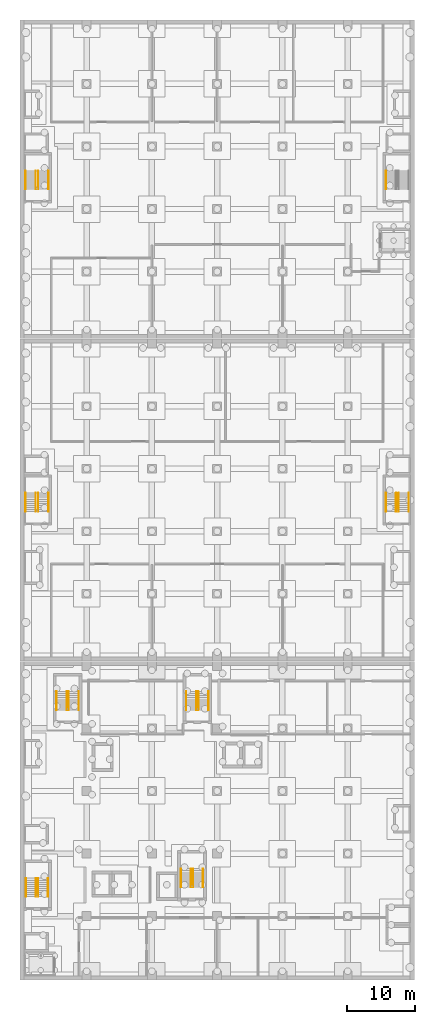
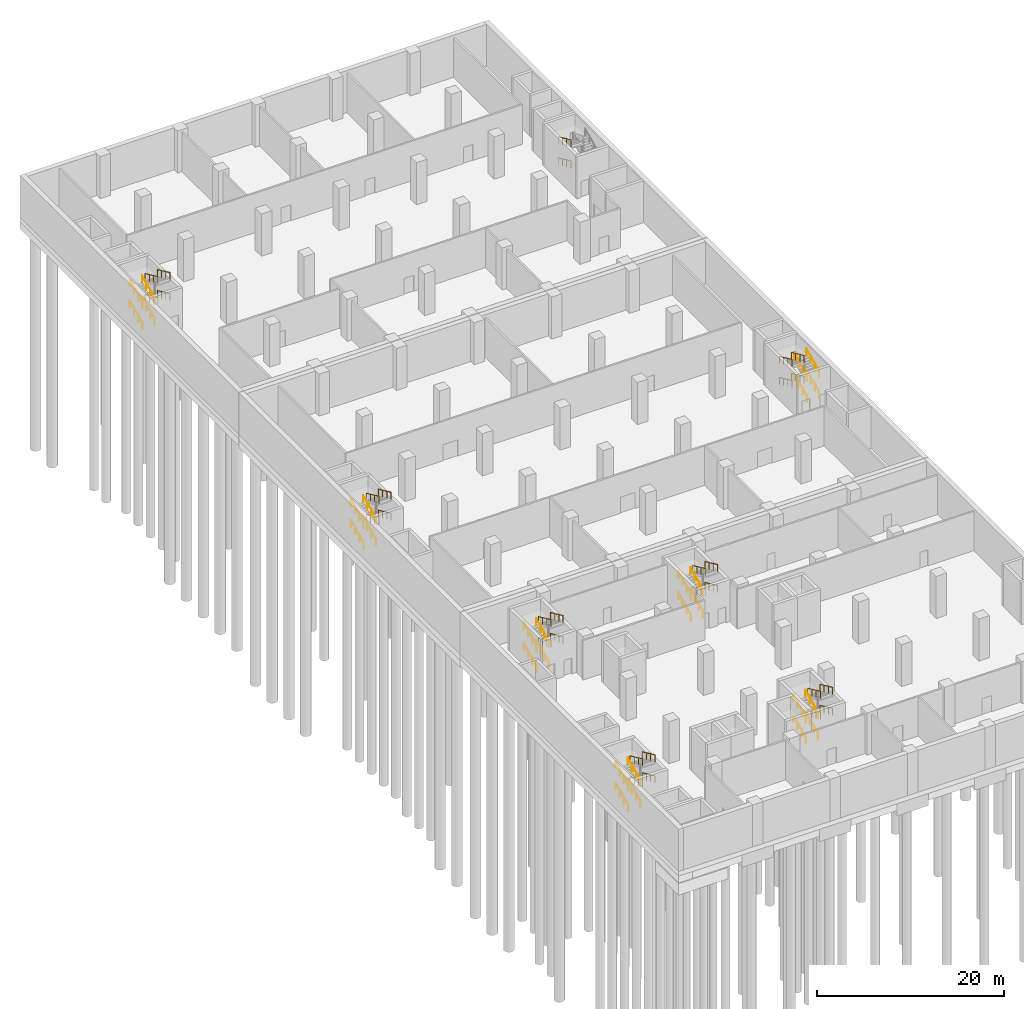
# One storey, part 18 of 33: 58 railings.
"""IFC4 building model written with IfcOpenShell, lengths in metres."""

from ifc_helpers import new_model, si_unit, direction, frame, origin, origin_2d, place, context, subcontext, project, spatial, circle, extrude, material, type_object, element, save


model = new_model("IFC4")

# Units and contexts
model_context = context("Model", 3, precision=1e-05, world=origin(), true_north=direction((0.0, 1.0)))
body_context = subcontext(model_context, "Body", "Model", "MODEL_VIEW")
ifc_project = project(units=[si_unit("LENGTHUNIT", "METRE"), si_unit("AREAUNIT", "SQUARE_METRE"), si_unit("VOLUMEUNIT", "CUBIC_METRE"), si_unit("PLANEANGLEUNIT", "RADIAN"), si_unit("MASSUNIT", "GRAM", prefix="KILO")], contexts=[model_context])

# Site, building, storey
site_placement = place(None, origin())
site = spatial("IfcSite", under=ifc_project, at=site_placement, CompositionType="ELEMENT")
building_placement = place(site_placement, origin())
building = spatial("IfcBuilding", under=site, at=building_placement, Name="Nzadi Deep Aquarium and Research Tower", CompositionType="ELEMENT")
storey_placement = place(building_placement, frame((0.0, 0.0, -5.5)))
storey = spatial("IfcBuildingStorey", under=building, at=storey_placement, Name="B1", CompositionType="ELEMENT", Elevation=-5.5)

# Railings
ifc_material = material(Name="Stainless steel 1.4301", Category="steel")
railing_type = type_object("IfcRailingType", Name="HANDRAIL 900", PredefinedType="HANDRAIL", material=ifc_material)
for number, where, name in (
    (1, (0.659912109375, 12.070068359375, 0.137451171875), "HR-ST-Z1-SW-B1-F1"),
    (2, (2.1650390625, 12.070068359375, 0.137451171875), "HR-ST-Z1-SW-B1-F1W"),
):
    element("IfcRailing", number, at=place(storey_placement, frame(where)), inside=storey, type_object=railing_type, Name=name, PredefinedType="HANDRAIL", context=body_context, shape_type="SweptSolid", body=[
        extrude(circle(Radius=0.02392578125, at=origin_2d()), frame((0.0, 0.0, 0.8759765625), z_axis=(0.0, 0.909055741701, 0.416674523436), x_axis=(-1.0, 0.0, 0.0)), (0.0, 0.0, 1.0), 2.969970703125),
        extrude(circle(Radius=0.02099609375, at=origin_2d()), origin(), (0.0, 0.0, 1.0), 0.851806640625),
        extrude(circle(Radius=0.02099609375, at=origin_2d()), frame((0.0, 0.89990234375, 0.41259765625)), (0.0, 0.0, 1.0), 0.851806640625),
        extrude(circle(Radius=0.02099609375, at=origin_2d()), frame((0.0, 1.800048828125, 0.824951171875)), (0.0, 0.0, 1.0), 0.851806640625),
        extrude(circle(Radius=0.02099609375, at=origin_2d()), frame((0.0, 2.699951171875, 1.237548828125)), (0.0, 0.0, 1.0), 0.851806640625),
    ])
for number, where, name in (
    (3, (3.93994140625, 14.77001953125, 1.512451171875), "HR-ST-Z1-SW-B1-F2"),
    (4, (2.43505859375, 14.77001953125, 1.512451171875), "HR-ST-Z1-SW-B1-F2W"),
):
    element("IfcRailing", number, at=place(storey_placement, frame(where)), inside=storey, type_object=railing_type, Name=name, PredefinedType="HANDRAIL", context=body_context, shape_type="SweptSolid", body=[
        extrude(circle(Radius=0.02392578125, at=origin_2d()), frame((0.0, 0.0, 0.8759765625), z_axis=(0.0, -0.909055741701, 0.416674523436), x_axis=(1.0, 0.0, 0.0)), (0.0, 0.0, 1.0), 2.969970703125),
        extrude(circle(Radius=0.02099609375, at=origin_2d()), origin(), (0.0, 0.0, 1.0), 0.851806640625),
        extrude(circle(Radius=0.02099609375, at=origin_2d()), frame((0.0, -0.89990234375, 0.41259765625)), (0.0, 0.0, 1.0), 0.851806640625),
        extrude(circle(Radius=0.02099609375, at=origin_2d()), frame((0.0, -1.800048828125, 0.824951171875)), (0.0, 0.0, 1.0), 0.851806640625),
        extrude(circle(Radius=0.02099609375, at=origin_2d()), frame((0.0, -2.699951171875, 1.237548828125)), (0.0, 0.0, 1.0), 0.851806640625),
    ])
for number, where, name in (
    (5, (0.659912109375, 12.070068359375, 2.887451171875), "HR-ST-Z1-SW-B1-F3"),
    (6, (2.1650390625, 12.070068359375, 2.887451171875), "HR-ST-Z1-SW-B1-F3W"),
):
    element("IfcRailing", number, at=place(storey_placement, frame(where)), inside=storey, type_object=railing_type, Name=name, PredefinedType="HANDRAIL", context=body_context, shape_type="SweptSolid", body=[
        extrude(circle(Radius=0.02392578125, at=origin_2d()), frame((0.0, 0.0, 0.8759765625), z_axis=(0.0, 0.909055741701, 0.416674523436), x_axis=(-1.0, 0.0, 0.0)), (0.0, 0.0, 1.0), 2.969970703125),
        extrude(circle(Radius=0.02099609375, at=origin_2d()), origin(), (0.0, 0.0, 1.0), 0.851806640625),
        extrude(circle(Radius=0.02099609375, at=origin_2d()), frame((0.0, 0.89990234375, 0.41259765625)), (0.0, 0.0, 1.0), 0.851806640625),
        extrude(circle(Radius=0.02099609375, at=origin_2d()), frame((0.0, 1.800048828125, 0.824951171875)), (0.0, 0.0, 1.0), 0.851806640625),
        extrude(circle(Radius=0.02099609375, at=origin_2d()), frame((0.0, 2.699951171875, 1.237548828125)), (0.0, 0.0, 1.0), 0.851806640625),
    ])
for number, where, name in (
    (7, (3.93994140625, 14.77001953125, 4.262451171875), "HR-ST-Z1-SW-B1-F4"),
    (8, (2.43505859375, 14.77001953125, 4.262451171875), "HR-ST-Z1-SW-B1-F4W"),
):
    element("IfcRailing", number, at=place(storey_placement, frame(where)), inside=storey, type_object=railing_type, Name=name, PredefinedType="HANDRAIL", context=body_context, shape_type="SweptSolid", body=[
        extrude(circle(Radius=0.02392578125, at=origin_2d()), frame((0.0, 0.0, 0.8759765625), z_axis=(0.0, -0.909055741701, 0.416674523436), x_axis=(1.0, 0.0, 0.0)), (0.0, 0.0, 1.0), 2.969970703125),
        extrude(circle(Radius=0.02099609375, at=origin_2d()), origin(), (0.0, 0.0, 1.0), 0.851806640625),
        extrude(circle(Radius=0.02099609375, at=origin_2d()), frame((0.0, -0.89990234375, 0.41259765625)), (0.0, 0.0, 1.0), 0.851806640625),
        extrude(circle(Radius=0.02099609375, at=origin_2d()), frame((0.0, -1.800048828125, 0.824951171875)), (0.0, 0.0, 1.0), 0.851806640625),
        extrude(circle(Radius=0.02099609375, at=origin_2d()), frame((0.0, -2.699951171875, 1.237548828125)), (0.0, 0.0, 1.0), 0.851806640625),
    ])
for number, where, name in (
    (9, (23.4599609375, 13.469970703125, 0.137451171875), "HR-ST-Z1-SE-B1-F1"),
    (10, (24.965087890625, 13.469970703125, 0.137451171875), "HR-ST-Z1-SE-B1-F1W"),
):
    element("IfcRailing", number, at=place(storey_placement, frame(where)), inside=storey, type_object=railing_type, Name=name, PredefinedType="HANDRAIL", context=body_context, shape_type="SweptSolid", body=[
        extrude(circle(Radius=0.02392578125, at=origin_2d()), frame((0.0, 0.0, 0.8759765625), z_axis=(0.0, 0.909055741701, 0.416674523436), x_axis=(-1.0, 0.0, 0.0)), (0.0, 0.0, 1.0), 2.969970703125),
        extrude(circle(Radius=0.02099609375, at=origin_2d()), origin(), (0.0, 0.0, 1.0), 0.851806640625),
        extrude(circle(Radius=0.02099609375, at=origin_2d()), frame((0.0, 0.89990234375, 0.41259765625)), (0.0, 0.0, 1.0), 0.851806640625),
        extrude(circle(Radius=0.02099609375, at=origin_2d()), frame((0.0, 1.800048828125, 0.824951171875)), (0.0, 0.0, 1.0), 0.851806640625),
        extrude(circle(Radius=0.02099609375, at=origin_2d()), frame((0.0, 2.699951171875, 1.237548828125)), (0.0, 0.0, 1.0), 0.851806640625),
    ])
for number, where, name in (
    (11, (26.739990234375, 16.169921875, 1.512451171875), "HR-ST-Z1-SE-B1-F2"),
    (12, (25.235107421875, 16.169921875, 1.512451171875), "HR-ST-Z1-SE-B1-F2W"),
):
    element("IfcRailing", number, at=place(storey_placement, frame(where)), inside=storey, type_object=railing_type, Name=name, PredefinedType="HANDRAIL", context=body_context, shape_type="SweptSolid", body=[
        extrude(circle(Radius=0.02392578125, at=origin_2d()), frame((0.0, 0.0, 0.8759765625), z_axis=(0.0, -0.909055741701, 0.416674523436), x_axis=(1.0, 0.0, 0.0)), (0.0, 0.0, 1.0), 2.969970703125),
        extrude(circle(Radius=0.02099609375, at=origin_2d()), origin(), (0.0, 0.0, 1.0), 0.851806640625),
        extrude(circle(Radius=0.02099609375, at=origin_2d()), frame((0.0, -0.89990234375, 0.41259765625)), (0.0, 0.0, 1.0), 0.851806640625),
        extrude(circle(Radius=0.02099609375, at=origin_2d()), frame((0.0, -1.800048828125, 0.824951171875)), (0.0, 0.0, 1.0), 0.851806640625),
        extrude(circle(Radius=0.02099609375, at=origin_2d()), frame((0.0, -2.699951171875, 1.237548828125)), (0.0, 0.0, 1.0), 0.851806640625),
    ])
for number, where, name in (
    (13, (23.4599609375, 13.469970703125, 2.887451171875), "HR-ST-Z1-SE-B1-F3"),
    (14, (24.965087890625, 13.469970703125, 2.887451171875), "HR-ST-Z1-SE-B1-F3W"),
):
    element("IfcRailing", number, at=place(storey_placement, frame(where)), inside=storey, type_object=railing_type, Name=name, PredefinedType="HANDRAIL", context=body_context, shape_type="SweptSolid", body=[
        extrude(circle(Radius=0.02392578125, at=origin_2d()), frame((0.0, 0.0, 0.8759765625), z_axis=(0.0, 0.909055741701, 0.416674523436), x_axis=(-1.0, 0.0, 0.0)), (0.0, 0.0, 1.0), 2.969970703125),
        extrude(circle(Radius=0.02099609375, at=origin_2d()), origin(), (0.0, 0.0, 1.0), 0.851806640625),
        extrude(circle(Radius=0.02099609375, at=origin_2d()), frame((0.0, 0.89990234375, 0.41259765625)), (0.0, 0.0, 1.0), 0.851806640625),
        extrude(circle(Radius=0.02099609375, at=origin_2d()), frame((0.0, 1.800048828125, 0.824951171875)), (0.0, 0.0, 1.0), 0.851806640625),
        extrude(circle(Radius=0.02099609375, at=origin_2d()), frame((0.0, 2.699951171875, 1.237548828125)), (0.0, 0.0, 1.0), 0.851806640625),
    ])
for number, where, name in (
    (15, (26.739990234375, 16.169921875, 4.262451171875), "HR-ST-Z1-SE-B1-F4"),
    (16, (25.235107421875, 16.169921875, 4.262451171875), "HR-ST-Z1-SE-B1-F4W"),
):
    element("IfcRailing", number, at=place(storey_placement, frame(where)), inside=storey, type_object=railing_type, Name=name, PredefinedType="HANDRAIL", context=body_context, shape_type="SweptSolid", body=[
        extrude(circle(Radius=0.02392578125, at=origin_2d()), frame((0.0, 0.0, 0.8759765625), z_axis=(0.0, -0.909055741701, 0.416674523436), x_axis=(1.0, 0.0, 0.0)), (0.0, 0.0, 1.0), 2.969970703125),
        extrude(circle(Radius=0.02099609375, at=origin_2d()), origin(), (0.0, 0.0, 1.0), 0.851806640625),
        extrude(circle(Radius=0.02099609375, at=origin_2d()), frame((0.0, -0.89990234375, 0.41259765625)), (0.0, 0.0, 1.0), 0.851806640625),
        extrude(circle(Radius=0.02099609375, at=origin_2d()), frame((0.0, -1.800048828125, 0.824951171875)), (0.0, 0.0, 1.0), 0.851806640625),
        extrude(circle(Radius=0.02099609375, at=origin_2d()), frame((0.0, -2.699951171875, 1.237548828125)), (0.0, 0.0, 1.0), 0.851806640625),
    ])
for number, where, name in (
    (17, (5.159912109375, 39.52001953125, 0.137451171875), "HR-ST-Z1-NW-B1-F1"),
    (18, (6.6650390625, 39.52001953125, 0.137451171875), "HR-ST-Z1-NW-B1-F1W"),
):
    element("IfcRailing", number, at=place(storey_placement, frame(where)), inside=storey, type_object=railing_type, Name=name, PredefinedType="HANDRAIL", context=body_context, shape_type="SweptSolid", body=[
        extrude(circle(Radius=0.02392578125, at=origin_2d()), frame((0.0, 0.0, 0.8759765625), z_axis=(0.0, 0.909055741701, 0.416674523436), x_axis=(-1.0, 0.0, 0.0)), (0.0, 0.0, 1.0), 2.969970703125),
        extrude(circle(Radius=0.02099609375, at=origin_2d()), origin(), (0.0, 0.0, 1.0), 0.851806640625),
        extrude(circle(Radius=0.02099609375, at=origin_2d()), frame((0.0, 0.89990234375, 0.41259765625)), (0.0, 0.0, 1.0), 0.851806640625),
        extrude(circle(Radius=0.02099609375, at=origin_2d()), frame((0.0, 1.800048828125, 0.824951171875)), (0.0, 0.0, 1.0), 0.851806640625),
        extrude(circle(Radius=0.02099609375, at=origin_2d()), frame((0.0, 2.699951171875, 1.237548828125)), (0.0, 0.0, 1.0), 0.851806640625),
    ])
for number, where, name in (
    (19, (8.43994140625, 42.219970703125, 1.512451171875), "HR-ST-Z1-NW-B1-F2"),
    (20, (6.93505859375, 42.219970703125, 1.512451171875), "HR-ST-Z1-NW-B1-F2W"),
):
    element("IfcRailing", number, at=place(storey_placement, frame(where)), inside=storey, type_object=railing_type, Name=name, PredefinedType="HANDRAIL", context=body_context, shape_type="SweptSolid", body=[
        extrude(circle(Radius=0.02392578125, at=origin_2d()), frame((0.0, 0.0, 0.8759765625), z_axis=(0.0, -0.909055741701, 0.416674523436), x_axis=(1.0, 0.0, 0.0)), (0.0, 0.0, 1.0), 2.969970703125),
        extrude(circle(Radius=0.02099609375, at=origin_2d()), origin(), (0.0, 0.0, 1.0), 0.851806640625),
        extrude(circle(Radius=0.02099609375, at=origin_2d()), frame((0.0, -0.89990234375, 0.41259765625)), (0.0, 0.0, 1.0), 0.851806640625),
        extrude(circle(Radius=0.02099609375, at=origin_2d()), frame((0.0, -1.800048828125, 0.824951171875)), (0.0, 0.0, 1.0), 0.851806640625),
        extrude(circle(Radius=0.02099609375, at=origin_2d()), frame((0.0, -2.699951171875, 1.237548828125)), (0.0, 0.0, 1.0), 0.851806640625),
    ])
for number, where, name in (
    (21, (5.159912109375, 39.52001953125, 2.887451171875), "HR-ST-Z1-NW-B1-F3"),
    (22, (6.6650390625, 39.52001953125, 2.887451171875), "HR-ST-Z1-NW-B1-F3W"),
):
    element("IfcRailing", number, at=place(storey_placement, frame(where)), inside=storey, type_object=railing_type, Name=name, PredefinedType="HANDRAIL", context=body_context, shape_type="SweptSolid", body=[
        extrude(circle(Radius=0.02392578125, at=origin_2d()), frame((0.0, 0.0, 0.8759765625), z_axis=(0.0, 0.909055741701, 0.416674523436), x_axis=(-1.0, 0.0, 0.0)), (0.0, 0.0, 1.0), 2.969970703125),
        extrude(circle(Radius=0.02099609375, at=origin_2d()), origin(), (0.0, 0.0, 1.0), 0.851806640625),
        extrude(circle(Radius=0.02099609375, at=origin_2d()), frame((0.0, 0.89990234375, 0.41259765625)), (0.0, 0.0, 1.0), 0.851806640625),
        extrude(circle(Radius=0.02099609375, at=origin_2d()), frame((0.0, 1.800048828125, 0.824951171875)), (0.0, 0.0, 1.0), 0.851806640625),
        extrude(circle(Radius=0.02099609375, at=origin_2d()), frame((0.0, 2.699951171875, 1.237548828125)), (0.0, 0.0, 1.0), 0.851806640625),
    ])
for number, where, name in (
    (23, (8.43994140625, 42.219970703125, 4.262451171875), "HR-ST-Z1-NW-B1-F4"),
    (24, (6.93505859375, 42.219970703125, 4.262451171875), "HR-ST-Z1-NW-B1-F4W"),
):
    element("IfcRailing", number, at=place(storey_placement, frame(where)), inside=storey, type_object=railing_type, Name=name, PredefinedType="HANDRAIL", context=body_context, shape_type="SweptSolid", body=[
        extrude(circle(Radius=0.02392578125, at=origin_2d()), frame((0.0, 0.0, 0.8759765625), z_axis=(0.0, -0.909055741701, 0.416674523436), x_axis=(1.0, 0.0, 0.0)), (0.0, 0.0, 1.0), 2.969970703125),
        extrude(circle(Radius=0.02099609375, at=origin_2d()), origin(), (0.0, 0.0, 1.0), 0.851806640625),
        extrude(circle(Radius=0.02099609375, at=origin_2d()), frame((0.0, -0.89990234375, 0.41259765625)), (0.0, 0.0, 1.0), 0.851806640625),
        extrude(circle(Radius=0.02099609375, at=origin_2d()), frame((0.0, -1.800048828125, 0.824951171875)), (0.0, 0.0, 1.0), 0.851806640625),
        extrude(circle(Radius=0.02099609375, at=origin_2d()), frame((0.0, -2.699951171875, 1.237548828125)), (0.0, 0.0, 1.0), 0.851806640625),
    ])
for number, where, name in (
    (25, (24.260009765625, 39.52001953125, 0.137451171875), "HR-ST-Z1-NE-B1-F1"),
    (26, (25.764892578125, 39.52001953125, 0.137451171875), "HR-ST-Z1-NE-B1-F1W"),
):
    element("IfcRailing", number, at=place(storey_placement, frame(where)), inside=storey, type_object=railing_type, Name=name, PredefinedType="HANDRAIL", context=body_context, shape_type="SweptSolid", body=[
        extrude(circle(Radius=0.02392578125, at=origin_2d()), frame((0.0, 0.0, 0.8759765625), z_axis=(0.0, 0.909055741701, 0.416674523436), x_axis=(-1.0, 0.0, 0.0)), (0.0, 0.0, 1.0), 2.969970703125),
        extrude(circle(Radius=0.02099609375, at=origin_2d()), origin(), (0.0, 0.0, 1.0), 0.851806640625),
        extrude(circle(Radius=0.02099609375, at=origin_2d()), frame((0.0, 0.89990234375, 0.41259765625)), (0.0, 0.0, 1.0), 0.851806640625),
        extrude(circle(Radius=0.02099609375, at=origin_2d()), frame((0.0, 1.800048828125, 0.824951171875)), (0.0, 0.0, 1.0), 0.851806640625),
        extrude(circle(Radius=0.02099609375, at=origin_2d()), frame((0.0, 2.699951171875, 1.237548828125)), (0.0, 0.0, 1.0), 0.851806640625),
    ])
for number, where, name in (
    (27, (27.5400390625, 42.219970703125, 1.512451171875), "HR-ST-Z1-NE-B1-F2"),
    (28, (26.034912109375, 42.219970703125, 1.512451171875), "HR-ST-Z1-NE-B1-F2W"),
):
    element("IfcRailing", number, at=place(storey_placement, frame(where)), inside=storey, type_object=railing_type, Name=name, PredefinedType="HANDRAIL", context=body_context, shape_type="SweptSolid", body=[
        extrude(circle(Radius=0.02392578125, at=origin_2d()), frame((0.0, 0.0, 0.8759765625), z_axis=(0.0, -0.909055741701, 0.416674523436), x_axis=(1.0, 0.0, 0.0)), (0.0, 0.0, 1.0), 2.969970703125),
        extrude(circle(Radius=0.02099609375, at=origin_2d()), origin(), (0.0, 0.0, 1.0), 0.851806640625),
        extrude(circle(Radius=0.02099609375, at=origin_2d()), frame((0.0, -0.89990234375, 0.41259765625)), (0.0, 0.0, 1.0), 0.851806640625),
        extrude(circle(Radius=0.02099609375, at=origin_2d()), frame((0.0, -1.800048828125, 0.824951171875)), (0.0, 0.0, 1.0), 0.851806640625),
        extrude(circle(Radius=0.02099609375, at=origin_2d()), frame((0.0, -2.699951171875, 1.237548828125)), (0.0, 0.0, 1.0), 0.851806640625),
    ])
for number, where, name in (
    (29, (24.260009765625, 39.52001953125, 2.887451171875), "HR-ST-Z1-NE-B1-F3"),
    (30, (25.764892578125, 39.52001953125, 2.887451171875), "HR-ST-Z1-NE-B1-F3W"),
):
    element("IfcRailing", number, at=place(storey_placement, frame(where)), inside=storey, type_object=railing_type, Name=name, PredefinedType="HANDRAIL", context=body_context, shape_type="SweptSolid", body=[
        extrude(circle(Radius=0.02392578125, at=origin_2d()), frame((0.0, 0.0, 0.8759765625), z_axis=(0.0, 0.909055741701, 0.416674523436), x_axis=(-1.0, 0.0, 0.0)), (0.0, 0.0, 1.0), 2.969970703125),
        extrude(circle(Radius=0.02099609375, at=origin_2d()), origin(), (0.0, 0.0, 1.0), 0.851806640625),
        extrude(circle(Radius=0.02099609375, at=origin_2d()), frame((0.0, 0.89990234375, 0.41259765625)), (0.0, 0.0, 1.0), 0.851806640625),
        extrude(circle(Radius=0.02099609375, at=origin_2d()), frame((0.0, 1.800048828125, 0.824951171875)), (0.0, 0.0, 1.0), 0.851806640625),
        extrude(circle(Radius=0.02099609375, at=origin_2d()), frame((0.0, 2.699951171875, 1.237548828125)), (0.0, 0.0, 1.0), 0.851806640625),
    ])
for number, where, name in (
    (31, (27.5400390625, 42.219970703125, 4.262451171875), "HR-ST-Z1-NE-B1-F4"),
    (32, (26.034912109375, 42.219970703125, 4.262451171875), "HR-ST-Z1-NE-B1-F4W"),
):
    element("IfcRailing", number, at=place(storey_placement, frame(where)), inside=storey, type_object=railing_type, Name=name, PredefinedType="HANDRAIL", context=body_context, shape_type="SweptSolid", body=[
        extrude(circle(Radius=0.02392578125, at=origin_2d()), frame((0.0, 0.0, 0.8759765625), z_axis=(0.0, -0.909055741701, 0.416674523436), x_axis=(1.0, 0.0, 0.0)), (0.0, 0.0, 1.0), 2.969970703125),
        extrude(circle(Radius=0.02099609375, at=origin_2d()), origin(), (0.0, 0.0, 1.0), 0.851806640625),
        extrude(circle(Radius=0.02099609375, at=origin_2d()), frame((0.0, -0.89990234375, 0.41259765625)), (0.0, 0.0, 1.0), 0.851806640625),
        extrude(circle(Radius=0.02099609375, at=origin_2d()), frame((0.0, -1.800048828125, 0.824951171875)), (0.0, 0.0, 1.0), 0.851806640625),
        extrude(circle(Radius=0.02099609375, at=origin_2d()), frame((0.0, -2.699951171875, 1.237548828125)), (0.0, 0.0, 1.0), 0.851806640625),
    ])
for number, where, name in (
    (33, (0.610107421875, 68.7099609375, 0.137451171875), "HR-ST-Z2-W-B1-F1"),
    (34, (2.114990234375, 68.7099609375, 0.137451171875), "HR-ST-Z2-W-B1-F1W"),
):
    element("IfcRailing", number, at=place(storey_placement, frame(where)), inside=storey, type_object=railing_type, Name=name, PredefinedType="HANDRAIL", context=body_context, shape_type="SweptSolid", body=[
        extrude(circle(Radius=0.02392578125, at=origin_2d()), frame((0.0, 0.0, 0.8759765625), z_axis=(0.0, 0.909055741701, 0.416674523436), x_axis=(-1.0, 0.0, 0.0)), (0.0, 0.0, 1.0), 2.969970703125),
        extrude(circle(Radius=0.02099609375, at=origin_2d()), origin(), (0.0, 0.0, 1.0), 0.851806640625),
        extrude(circle(Radius=0.02099609375, at=origin_2d()), frame((0.0, 0.89990234375, 0.41259765625)), (0.0, 0.0, 1.0), 0.851806640625),
        extrude(circle(Radius=0.02099609375, at=origin_2d()), frame((0.0, 1.800048828125, 0.824951171875)), (0.0, 0.0, 1.0), 0.851806640625),
        extrude(circle(Radius=0.02099609375, at=origin_2d()), frame((0.0, 2.699951171875, 1.237548828125)), (0.0, 0.0, 1.0), 0.851806640625),
    ])
for number, where, name in (
    (35, (3.989990234375, 71.409912109375, 1.512451171875), "HR-ST-Z2-W-B1-F2"),
    (36, (2.485107421875, 71.409912109375, 1.512451171875), "HR-ST-Z2-W-B1-F2W"),
):
    element("IfcRailing", number, at=place(storey_placement, frame(where)), inside=storey, type_object=railing_type, Name=name, PredefinedType="HANDRAIL", context=body_context, shape_type="SweptSolid", body=[
        extrude(circle(Radius=0.02392578125, at=origin_2d()), frame((0.0, 0.0, 0.8759765625), z_axis=(0.0, -0.909055741701, 0.416674523436), x_axis=(1.0, 0.0, 0.0)), (0.0, 0.0, 1.0), 2.969970703125),
        extrude(circle(Radius=0.02099609375, at=origin_2d()), origin(), (0.0, 0.0, 1.0), 0.851806640625),
        extrude(circle(Radius=0.02099609375, at=origin_2d()), frame((0.0, -0.89990234375, 0.41259765625)), (0.0, 0.0, 1.0), 0.851806640625),
        extrude(circle(Radius=0.02099609375, at=origin_2d()), frame((0.0, -1.800048828125, 0.824951171875)), (0.0, 0.0, 1.0), 0.851806640625),
        extrude(circle(Radius=0.02099609375, at=origin_2d()), frame((0.0, -2.699951171875, 1.237548828125)), (0.0, 0.0, 1.0), 0.851806640625),
    ])
for number, where, name in (
    (37, (0.610107421875, 68.7099609375, 2.887451171875), "HR-ST-Z2-W-B1-F3"),
    (38, (2.114990234375, 68.7099609375, 2.887451171875), "HR-ST-Z2-W-B1-F3W"),
):
    element("IfcRailing", number, at=place(storey_placement, frame(where)), inside=storey, type_object=railing_type, Name=name, PredefinedType="HANDRAIL", context=body_context, shape_type="SweptSolid", body=[
        extrude(circle(Radius=0.02392578125, at=origin_2d()), frame((0.0, 0.0, 0.8759765625), z_axis=(0.0, 0.909055741701, 0.416674523436), x_axis=(-1.0, 0.0, 0.0)), (0.0, 0.0, 1.0), 2.969970703125),
        extrude(circle(Radius=0.02099609375, at=origin_2d()), origin(), (0.0, 0.0, 1.0), 0.851806640625),
        extrude(circle(Radius=0.02099609375, at=origin_2d()), frame((0.0, 0.89990234375, 0.41259765625)), (0.0, 0.0, 1.0), 0.851806640625),
        extrude(circle(Radius=0.02099609375, at=origin_2d()), frame((0.0, 1.800048828125, 0.824951171875)), (0.0, 0.0, 1.0), 0.851806640625),
        extrude(circle(Radius=0.02099609375, at=origin_2d()), frame((0.0, 2.699951171875, 1.237548828125)), (0.0, 0.0, 1.0), 0.851806640625),
    ])
for number, where, name in (
    (39, (3.989990234375, 71.409912109375, 4.262451171875), "HR-ST-Z2-W-B1-F4"),
    (40, (2.485107421875, 71.409912109375, 4.262451171875), "HR-ST-Z2-W-B1-F4W"),
):
    element("IfcRailing", number, at=place(storey_placement, frame(where)), inside=storey, type_object=railing_type, Name=name, PredefinedType="HANDRAIL", context=body_context, shape_type="SweptSolid", body=[
        extrude(circle(Radius=0.02392578125, at=origin_2d()), frame((0.0, 0.0, 0.8759765625), z_axis=(0.0, -0.909055741701, 0.416674523436), x_axis=(1.0, 0.0, 0.0)), (0.0, 0.0, 1.0), 2.969970703125),
        extrude(circle(Radius=0.02099609375, at=origin_2d()), origin(), (0.0, 0.0, 1.0), 0.851806640625),
        extrude(circle(Radius=0.02099609375, at=origin_2d()), frame((0.0, -0.89990234375, 0.41259765625)), (0.0, 0.0, 1.0), 0.851806640625),
        extrude(circle(Radius=0.02099609375, at=origin_2d()), frame((0.0, -1.800048828125, 0.824951171875)), (0.0, 0.0, 1.0), 0.851806640625),
        extrude(circle(Radius=0.02099609375, at=origin_2d()), frame((0.0, -2.699951171875, 1.237548828125)), (0.0, 0.0, 1.0), 0.851806640625),
    ])
for number, where, name in (
    (41, (56.989990234375, 68.7099609375, 0.137451171875), "HR-ST-Z2-E-B1-F1"),
    (42, (55.485107421875, 68.7099609375, 0.137451171875), "HR-ST-Z2-E-B1-F1W"),
):
    element("IfcRailing", number, at=place(storey_placement, frame(where)), inside=storey, type_object=railing_type, Name=name, PredefinedType="HANDRAIL", context=body_context, shape_type="SweptSolid", body=[
        extrude(circle(Radius=0.02392578125, at=origin_2d()), frame((0.0, 0.0, 0.8759765625), z_axis=(0.0, 0.909055741701, 0.416674523436), x_axis=(-1.0, 0.0, 0.0)), (0.0, 0.0, 1.0), 2.969970703125),
        extrude(circle(Radius=0.02099609375, at=origin_2d()), origin(), (0.0, 0.0, 1.0), 0.851806640625),
        extrude(circle(Radius=0.02099609375, at=origin_2d()), frame((0.0, 0.89990234375, 0.41259765625)), (0.0, 0.0, 1.0), 0.851806640625),
        extrude(circle(Radius=0.02099609375, at=origin_2d()), frame((0.0, 1.800048828125, 0.824951171875)), (0.0, 0.0, 1.0), 0.851806640625),
        extrude(circle(Radius=0.02099609375, at=origin_2d()), frame((0.0, 2.699951171875, 1.237548828125)), (0.0, 0.0, 1.0), 0.851806640625),
    ])
for number, where, name in (
    (43, (53.610107421875, 71.409912109375, 1.512451171875), "HR-ST-Z2-E-B1-F2"),
    (44, (55.114990234375, 71.409912109375, 1.512451171875), "HR-ST-Z2-E-B1-F2W"),
):
    element("IfcRailing", number, at=place(storey_placement, frame(where)), inside=storey, type_object=railing_type, Name=name, PredefinedType="HANDRAIL", context=body_context, shape_type="SweptSolid", body=[
        extrude(circle(Radius=0.02392578125, at=origin_2d()), frame((0.0, 0.0, 0.8759765625), z_axis=(0.0, -0.909055741701, 0.416674523436), x_axis=(1.0, 0.0, 0.0)), (0.0, 0.0, 1.0), 2.969970703125),
        extrude(circle(Radius=0.02099609375, at=origin_2d()), origin(), (0.0, 0.0, 1.0), 0.851806640625),
        extrude(circle(Radius=0.02099609375, at=origin_2d()), frame((0.0, -0.89990234375, 0.41259765625)), (0.0, 0.0, 1.0), 0.851806640625),
        extrude(circle(Radius=0.02099609375, at=origin_2d()), frame((0.0, -1.800048828125, 0.824951171875)), (0.0, 0.0, 1.0), 0.851806640625),
        extrude(circle(Radius=0.02099609375, at=origin_2d()), frame((0.0, -2.699951171875, 1.237548828125)), (0.0, 0.0, 1.0), 0.851806640625),
    ])
for number, where, name in (
    (45, (56.989990234375, 68.7099609375, 2.887451171875), "HR-ST-Z2-E-B1-F3"),
    (46, (55.485107421875, 68.7099609375, 2.887451171875), "HR-ST-Z2-E-B1-F3W"),
):
    element("IfcRailing", number, at=place(storey_placement, frame(where)), inside=storey, type_object=railing_type, Name=name, PredefinedType="HANDRAIL", context=body_context, shape_type="SweptSolid", body=[
        extrude(circle(Radius=0.02392578125, at=origin_2d()), frame((0.0, 0.0, 0.8759765625), z_axis=(0.0, 0.909055741701, 0.416674523436), x_axis=(-1.0, 0.0, 0.0)), (0.0, 0.0, 1.0), 2.969970703125),
        extrude(circle(Radius=0.02099609375, at=origin_2d()), origin(), (0.0, 0.0, 1.0), 0.851806640625),
        extrude(circle(Radius=0.02099609375, at=origin_2d()), frame((0.0, 0.89990234375, 0.41259765625)), (0.0, 0.0, 1.0), 0.851806640625),
        extrude(circle(Radius=0.02099609375, at=origin_2d()), frame((0.0, 1.800048828125, 0.824951171875)), (0.0, 0.0, 1.0), 0.851806640625),
        extrude(circle(Radius=0.02099609375, at=origin_2d()), frame((0.0, 2.699951171875, 1.237548828125)), (0.0, 0.0, 1.0), 0.851806640625),
    ])
for number, where, name in (
    (47, (53.610107421875, 71.409912109375, 4.262451171875), "HR-ST-Z2-E-B1-F4"),
    (48, (55.114990234375, 71.409912109375, 4.262451171875), "HR-ST-Z2-E-B1-F4W"),
):
    element("IfcRailing", number, at=place(storey_placement, frame(where)), inside=storey, type_object=railing_type, Name=name, PredefinedType="HANDRAIL", context=body_context, shape_type="SweptSolid", body=[
        extrude(circle(Radius=0.02392578125, at=origin_2d()), frame((0.0, 0.0, 0.8759765625), z_axis=(0.0, -0.909055741701, 0.416674523436), x_axis=(1.0, 0.0, 0.0)), (0.0, 0.0, 1.0), 2.969970703125),
        extrude(circle(Radius=0.02099609375, at=origin_2d()), origin(), (0.0, 0.0, 1.0), 0.851806640625),
        extrude(circle(Radius=0.02099609375, at=origin_2d()), frame((0.0, -0.89990234375, 0.41259765625)), (0.0, 0.0, 1.0), 0.851806640625),
        extrude(circle(Radius=0.02099609375, at=origin_2d()), frame((0.0, -1.800048828125, 0.824951171875)), (0.0, 0.0, 1.0), 0.851806640625),
        extrude(circle(Radius=0.02099609375, at=origin_2d()), frame((0.0, -2.699951171875, 1.237548828125)), (0.0, 0.0, 1.0), 0.851806640625),
    ])
for number, where, name in (
    (49, (0.610107421875, 116.110107421875, 0.137451171875), "HR-ST-Z3-W-B1-F1"),
    (50, (2.114990234375, 116.110107421875, 0.137451171875), "HR-ST-Z3-W-B1-F1W"),
):
    element("IfcRailing", number, at=place(storey_placement, frame(where)), inside=storey, type_object=railing_type, Name=name, PredefinedType="HANDRAIL", context=body_context, shape_type="SweptSolid", body=[
        extrude(circle(Radius=0.02392578125, at=origin_2d()), frame((0.0, 0.0, 0.8759765625), z_axis=(0.0, 0.909055741701, 0.416674523436), x_axis=(-1.0, 0.0, 0.0)), (0.0, 0.0, 1.0), 2.969970703125),
        extrude(circle(Radius=0.02099609375, at=origin_2d()), origin(), (0.0, 0.0, 1.0), 0.851806640625),
        extrude(circle(Radius=0.02099609375, at=origin_2d()), frame((0.0, 0.89990234375, 0.41259765625)), (0.0, 0.0, 1.0), 0.851806640625),
        extrude(circle(Radius=0.02099609375, at=origin_2d()), frame((0.0, 1.800048828125, 0.824951171875)), (0.0, 0.0, 1.0), 0.851806640625),
        extrude(circle(Radius=0.02099609375, at=origin_2d()), frame((0.0, 2.699951171875, 1.237548828125)), (0.0, 0.0, 1.0), 0.851806640625),
    ])
for number, where, name in (
    (51, (3.989990234375, 118.81005859375, 1.512451171875), "HR-ST-Z3-W-B1-F2"),
    (52, (2.485107421875, 118.81005859375, 1.512451171875), "HR-ST-Z3-W-B1-F2W"),
):
    element("IfcRailing", number, at=place(storey_placement, frame(where)), inside=storey, type_object=railing_type, Name=name, PredefinedType="HANDRAIL", context=body_context, shape_type="SweptSolid", body=[
        extrude(circle(Radius=0.02392578125, at=origin_2d()), frame((0.0, 0.0, 0.8759765625), z_axis=(0.0, -0.909055741701, 0.416674523436), x_axis=(1.0, 0.0, 0.0)), (0.0, 0.0, 1.0), 2.969970703125),
        extrude(circle(Radius=0.02099609375, at=origin_2d()), origin(), (0.0, 0.0, 1.0), 0.851806640625),
        extrude(circle(Radius=0.02099609375, at=origin_2d()), frame((0.0, -0.89990234375, 0.41259765625)), (0.0, 0.0, 1.0), 0.851806640625),
        extrude(circle(Radius=0.02099609375, at=origin_2d()), frame((0.0, -1.800048828125, 0.824951171875)), (0.0, 0.0, 1.0), 0.851806640625),
        extrude(circle(Radius=0.02099609375, at=origin_2d()), frame((0.0, -2.699951171875, 1.237548828125)), (0.0, 0.0, 1.0), 0.851806640625),
    ])
for number, where, name in (
    (53, (0.610107421875, 116.110107421875, 2.887451171875), "HR-ST-Z3-W-B1-F3"),
    (54, (2.114990234375, 116.110107421875, 2.887451171875), "HR-ST-Z3-W-B1-F3W"),
):
    element("IfcRailing", number, at=place(storey_placement, frame(where)), inside=storey, type_object=railing_type, Name=name, PredefinedType="HANDRAIL", context=body_context, shape_type="SweptSolid", body=[
        extrude(circle(Radius=0.02392578125, at=origin_2d()), frame((0.0, 0.0, 0.8759765625), z_axis=(0.0, 0.909055741701, 0.416674523436), x_axis=(-1.0, 0.0, 0.0)), (0.0, 0.0, 1.0), 2.969970703125),
        extrude(circle(Radius=0.02099609375, at=origin_2d()), origin(), (0.0, 0.0, 1.0), 0.851806640625),
        extrude(circle(Radius=0.02099609375, at=origin_2d()), frame((0.0, 0.89990234375, 0.41259765625)), (0.0, 0.0, 1.0), 0.851806640625),
        extrude(circle(Radius=0.02099609375, at=origin_2d()), frame((0.0, 1.800048828125, 0.824951171875)), (0.0, 0.0, 1.0), 0.851806640625),
        extrude(circle(Radius=0.02099609375, at=origin_2d()), frame((0.0, 2.699951171875, 1.237548828125)), (0.0, 0.0, 1.0), 0.851806640625),
    ])
for number, where, name in (
    (55, (3.989990234375, 118.81005859375, 4.262451171875), "HR-ST-Z3-W-B1-F4"),
    (56, (2.485107421875, 118.81005859375, 4.262451171875), "HR-ST-Z3-W-B1-F4W"),
    (57, (53.610107421875, 118.81005859375, 1.512451171875), "HR-ST-Z3-E-B1-F2"),
    (58, (53.610107421875, 118.81005859375, 4.262451171875), "HR-ST-Z3-E-B1-F4"),
):
    element("IfcRailing", number, at=place(storey_placement, frame(where)), inside=storey, type_object=railing_type, Name=name, PredefinedType="HANDRAIL", context=body_context, shape_type="SweptSolid", body=[
        extrude(circle(Radius=0.02392578125, at=origin_2d()), frame((0.0, 0.0, 0.8759765625), z_axis=(0.0, -0.909055741701, 0.416674523436), x_axis=(1.0, 0.0, 0.0)), (0.0, 0.0, 1.0), 2.969970703125),
        extrude(circle(Radius=0.02099609375, at=origin_2d()), origin(), (0.0, 0.0, 1.0), 0.851806640625),
        extrude(circle(Radius=0.02099609375, at=origin_2d()), frame((0.0, -0.89990234375, 0.41259765625)), (0.0, 0.0, 1.0), 0.851806640625),
        extrude(circle(Radius=0.02099609375, at=origin_2d()), frame((0.0, -1.800048828125, 0.824951171875)), (0.0, 0.0, 1.0), 0.851806640625),
        extrude(circle(Radius=0.02099609375, at=origin_2d()), frame((0.0, -2.699951171875, 1.237548828125)), (0.0, 0.0, 1.0), 0.851806640625),
    ])

save(model, "model.ifc")
